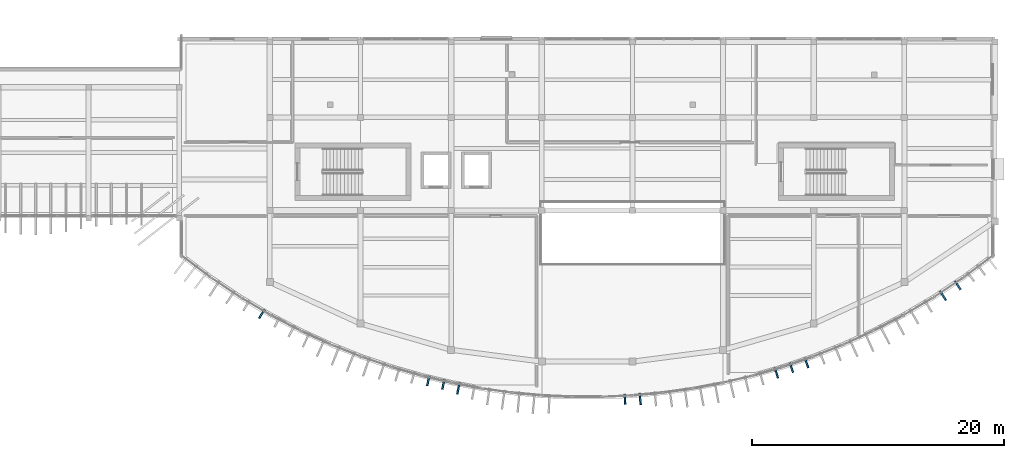
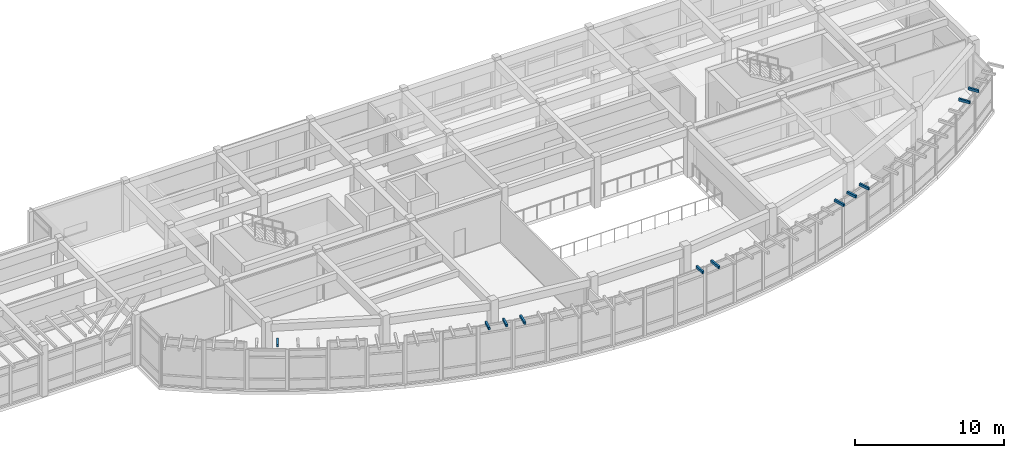
# One storey, part 48 of 60: 11 discrete accessories.
"""IFC4 building model written with IfcOpenShell, lengths in metres."""

from ifc_helpers import new_model, si_unit, direction, frame, origin, origin_2d, place, context, subcontext, project, spatial, rectangle, extrude, material, type_object, element, save


model = new_model("IFC4")

# Units and contexts
model_context = context("Model", 3, precision=1e-05, world=origin(), true_north=direction((0.0, 1.0)))
body_context = subcontext(model_context, "Body", "Model", "MODEL_VIEW")
ifc_project = project(units=[si_unit("LENGTHUNIT", "METRE"), si_unit("AREAUNIT", "SQUARE_METRE"), si_unit("VOLUMEUNIT", "CUBIC_METRE"), si_unit("PLANEANGLEUNIT", "RADIAN"), si_unit("MASSUNIT", "GRAM", prefix="KILO")], contexts=[model_context])

# Site, building, storey
site_placement = place(None, origin())
site = spatial("IfcSite", under=ifc_project, at=site_placement, CompositionType="ELEMENT")
building_placement = place(site_placement, origin())
building = spatial("IfcBuilding", under=site, at=building_placement, Name="Brisavento Harbour Community Centre", CompositionType="ELEMENT")
storey_placement = place(building_placement, frame((0.0, 0.0, 4.5)))
storey = spatial("IfcBuildingStorey", under=building, at=storey_placement, Name="L01", CompositionType="ELEMENT", Elevation=4.5)

# Discrete accessories
ifc_material = material(Name="Stainless steel 1.4401", Category="steel")
discrete_accessory_type = type_object("IfcDiscreteAccessoryType", Name="BRK-FIN-SS", PredefinedType="BRACKET", material=ifc_material)
discrete_accessory_1_placement = place(storey_placement, frame((114.552001953125, 6.786376953125, 3.97998046875), z_axis=(0.0, 0.0, 1.0), x_axis=(-0.507869167385, -0.861434216188, 0.0)))
element("IfcDiscreteAccessory", 1, at=discrete_accessory_1_placement, inside=storey, type_object=discrete_accessory_type, Name="Stainless-steel storm-fin bracket 099.3", PredefinedType="BRACKET", context=body_context, shape_type="SweptSolid", body=[
    extrude(rectangle(XDim=0.7890625, YDim=0.139892578125, at=origin_2d()), origin(), (0.0, 0.0, 1.0), 0.199951171875),
])
discrete_accessory_2_placement = place(storey_placement, frame((127.777587890625, 1.46630859375, 3.97998046875), z_axis=(0.0, 0.0, 1.0), x_axis=(-0.230830981037, -0.972993863389, 0.0)))
element("IfcDiscreteAccessory", 2, at=discrete_accessory_2_placement, inside=storey, type_object=discrete_accessory_type, Name="Stainless-steel storm-fin bracket 110.3", PredefinedType="BRACKET", context=body_context, shape_type="SweptSolid", body=[
    extrude(rectangle(XDim=0.79443359375, YDim=0.139892578125, at=origin_2d()), origin(), (0.0, 0.0, 1.0), 0.199951171875),
])
discrete_accessory_3_placement = place(storey_placement, frame((128.977294921875, 1.180908203125, 3.97998046875), z_axis=(0.0, 0.0, 1.0), x_axis=(-0.230830981037, -0.972993863389, 0.0)))
element("IfcDiscreteAccessory", 3, at=discrete_accessory_3_placement, inside=storey, type_object=discrete_accessory_type, Name="Stainless-steel storm-fin bracket 111.3", PredefinedType="BRACKET", context=body_context, shape_type="SweptSolid", body=[
    extrude(rectangle(XDim=0.796142578125, YDim=0.139892578125, at=origin_2d()), origin(), (0.0, 0.0, 1.0), 0.199951171875),
])
discrete_accessory_4_placement = place(storey_placement, frame((130.171142578125, 0.86767578125, 3.97998046875), z_axis=(0.0, 0.0, 1.0), x_axis=(-0.184671830369, -0.982800241691, 0.0)))
element("IfcDiscreteAccessory", 4, at=discrete_accessory_4_placement, inside=storey, type_object=discrete_accessory_type, Name="Stainless-steel storm-fin bracket 112.3", PredefinedType="BRACKET", context=body_context, shape_type="SweptSolid", body=[
    extrude(rectangle(XDim=0.91259765625, YDim=0.139892578125, at=origin_2d()), origin(), (0.0, 0.0, 1.0), 0.199951171875),
])
discrete_accessory_5_placement = place(storey_placement, frame((143.40478515625, -0.00341796875, 3.97998046875), z_axis=(0.0, 0.0, 1.0), x_axis=(0.0461649984, -0.9989338281, 0.0)))
element("IfcDiscreteAccessory", 5, at=discrete_accessory_5_placement, inside=storey, type_object=discrete_accessory_type, Name="Stainless-steel storm-fin bracket 119.3", PredefinedType="BRACKET", context=body_context, shape_type="SweptSolid", body=[
    extrude(rectangle(XDim=0.80126953125, YDim=0.139892578125, at=origin_2d()), origin(), (0.0, 0.0, 1.0), 0.199951171875),
])
discrete_accessory_6_placement = place(storey_placement, frame((144.614990234375, 0.019775390625, 3.97998046875), z_axis=(0.0, 0.0, 1.0), x_axis=(0.092335830041, -0.99572792192, 0.0)))
element("IfcDiscreteAccessory", 6, at=discrete_accessory_6_placement, inside=storey, type_object=discrete_accessory_type, Name="Stainless-steel storm-fin bracket 120.3", PredefinedType="BRACKET", context=body_context, shape_type="SweptSolid", body=[
    extrude(rectangle(XDim=0.92236328125, YDim=0.139892578125, at=origin_2d()), origin(), (0.0, 0.0, 1.0), 0.199951171875),
])
discrete_accessory_7_placement = place(storey_placement, frame((155.436279296875, 2.095947265625, 3.97998046875), z_axis=(0.0, 0.0, 1.0), x_axis=(0.276996031628, -0.96087106235, 0.0)))
element("IfcDiscreteAccessory", 7, at=discrete_accessory_7_placement, inside=storey, type_object=discrete_accessory_type, Name="Stainless-steel storm-fin bracket 129.3", PredefinedType="BRACKET", context=body_context, shape_type="SweptSolid", body=[
    extrude(rectangle(XDim=0.86279296875, YDim=0.139892578125, at=origin_2d()), origin(), (0.0, 0.0, 1.0), 0.199951171875),
])
discrete_accessory_8_placement = place(storey_placement, frame((156.62939453125, 2.51416015625, 3.97998046875), z_axis=(0.0, 0.0, 1.0), x_axis=(0.323174264667, -0.94633947115, 0.0)))
element("IfcDiscreteAccessory", 8, at=discrete_accessory_8_placement, inside=storey, type_object=discrete_accessory_type, Name="Stainless-steel storm-fin bracket 130.3", PredefinedType="BRACKET", context=body_context, shape_type="SweptSolid", body=[
    extrude(rectangle(XDim=0.781494140625, YDim=0.139892578125, at=origin_2d()), origin(), (0.0, 0.0, 1.0), 0.199951171875),
])
discrete_accessory_9_placement = place(storey_placement, frame((157.83642578125, 2.903076171875, 3.97998046875), z_axis=(0.0, 0.0, 1.0), x_axis=(0.323174264667, -0.94633947115, 0.0)))
element("IfcDiscreteAccessory", 9, at=discrete_accessory_9_placement, inside=storey, type_object=discrete_accessory_type, Name="Stainless-steel storm-fin bracket 131.3", PredefinedType="BRACKET", context=body_context, shape_type="SweptSolid", body=[
    extrude(rectangle(XDim=0.82568359375, YDim=0.139892578125, at=origin_2d()), origin(), (0.0, 0.0, 1.0), 0.199951171875),
])
discrete_accessory_10_placement = place(storey_placement, frame((168.667236328125, 8.2275390625, 3.97998046875), z_axis=(0.0, 0.0, 1.0), x_axis=(0.554060082852, -0.832476681109, 0.0)))
element("IfcDiscreteAccessory", 10, at=discrete_accessory_10_placement, inside=storey, type_object=discrete_accessory_type, Name="Stainless-steel storm-fin bracket 140.3", PredefinedType="BRACKET", context=body_context, shape_type="SweptSolid", body=[
    extrude(rectangle(XDim=0.842529296875, YDim=0.139892578125, at=origin_2d()), origin(), (0.0, 0.0, 1.0), 0.199951171875),
])
discrete_accessory_11_placement = place(storey_placement, frame((169.850341796875, 9.0517578125, 3.97998046875), z_axis=(0.0, 0.0, 1.0), x_axis=(0.554060082852, -0.832476681109, 0.0)))
element("IfcDiscreteAccessory", 11, at=discrete_accessory_11_placement, inside=storey, type_object=discrete_accessory_type, Name="Stainless-steel storm-fin bracket 141.3", PredefinedType="BRACKET", context=body_context, shape_type="SweptSolid", body=[
    extrude(rectangle(XDim=0.78125, YDim=0.139892578125, at=origin_2d()), origin(), (0.0, 0.0, 1.0), 0.199951171875),
])

save(model, "model.ifc")
